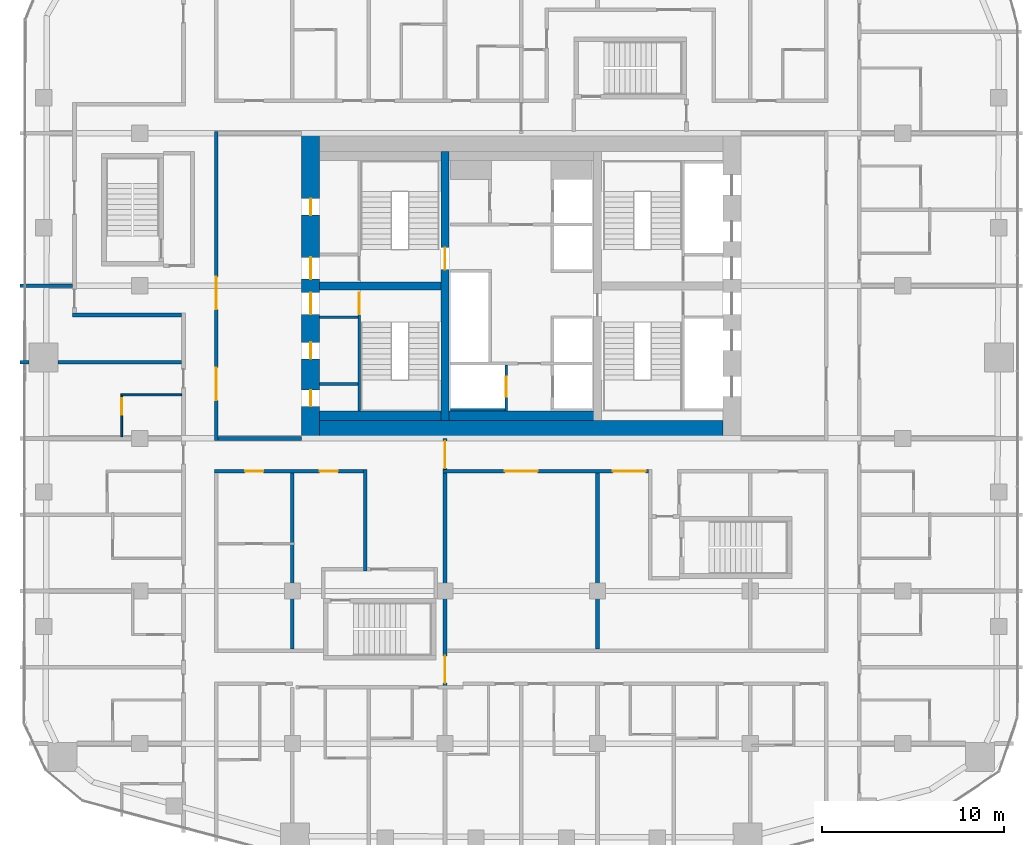
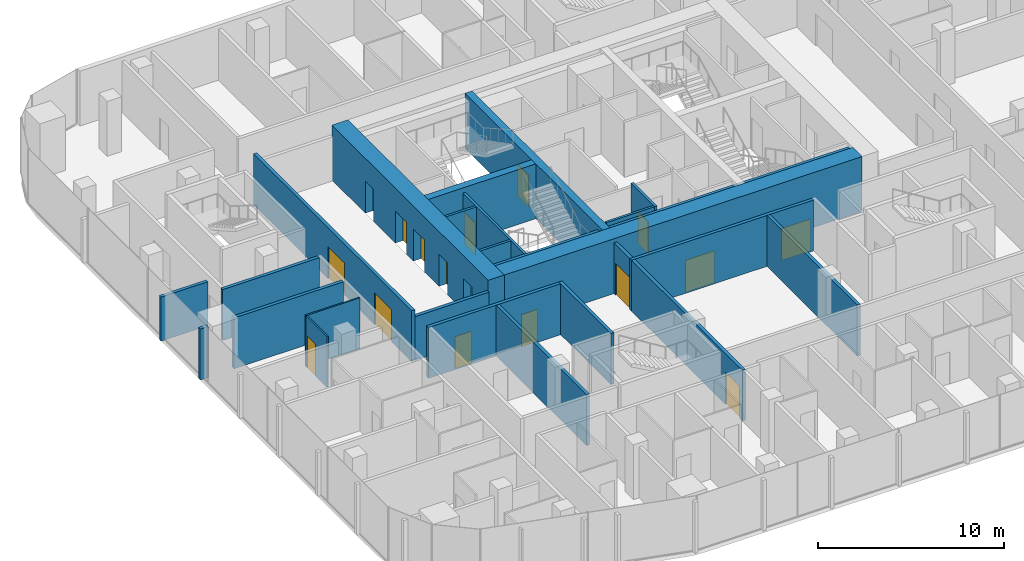
# One storey, part 15 of 23: 24 walls, 17 doors, 17 openings.
"""IFC4 building model written with IfcOpenShell, lengths in metres."""

from ifc_helpers import new_model, si_unit, direction, frame, frame_2d, origin, place, context, subcontext, project, spatial, rectangle, extrude, material, layer, layer_set, type_object, element, fill, save


model = new_model("IFC4")

# Units and contexts
model_context = context("Model", 3, precision=1e-05, world=origin(), true_north=direction((0.0, 1.0)))
body_context = subcontext(model_context, "Body", "Model", "MODEL_VIEW")
ifc_project = project(units=[si_unit("LENGTHUNIT", "METRE"), si_unit("AREAUNIT", "SQUARE_METRE"), si_unit("VOLUMEUNIT", "CUBIC_METRE"), si_unit("PLANEANGLEUNIT", "RADIAN"), si_unit("MASSUNIT", "GRAM", prefix="KILO")], contexts=[model_context])

# Site, building, storey
site_placement = place(None, origin())
site = spatial("IfcSite", under=ifc_project, at=site_placement, CompositionType="ELEMENT")
building_placement = place(site_placement, origin())
building = spatial("IfcBuilding", under=site, at=building_placement, Name="Marenta Gate Hotel Tower", CompositionType="ELEMENT")
storey_placement = place(building_placement, frame((0.0, 0.0, 112.10009765625)))
storey = spatial("IfcBuildingStorey", under=building, at=storey_placement, Name="L24", CompositionType="ELEMENT", Elevation=112.10009765625)

# Wall, openings, doors
ifc_material_1 = material(Name="Concrete blockwork", Category="masonry")
ifc_layer_1 = layer(ifc_material_1, 0.199951171875)
ifc_layer_set_1 = layer_set([ifc_layer_1], Name="Concrete blockwork")
wall_type_1 = type_object("IfcWallType", Name="Compartment wall 200 REI 180", PredefinedType="PARTITIONING", material=ifc_layer_set_1)
wall_1_placement = place(storey_placement, frame((-4.199951171875, -13.800048828125, 0.0), z_axis=(0.0, 0.0, 1.0), x_axis=(0.0, 1.0, 0.0)))
wall_1 = element("IfcWall", 1, at=wall_1_placement, inside=storey, type_object=wall_type_1, Name="L24-PTN-W080", PredefinedType="PARTITIONING", context=body_context, shape_type="SweptSolid", body=[
    extrude(rectangle(XDim=13.800048828125, YDim=0.199951171875, at=frame_2d((6.89990234375, 0.0))), origin(), (0.0, 0.0, 1.0), 3.33984375),
])
opening_1_placement = place(wall_1_placement, frame((12.14990234375, 0.0, 0.0)))
opening_1 = element("IfcOpeningElement", 2, at=opening_1_placement, cuts=wall_1, Name="Opening G08-FD2", PredefinedType="OPENING", context=body_context, shape_type="SweptSolid", body=[
    extrude(rectangle(XDim=1.5, YDim=2.10009765625, at=frame_2d((0.75, 1.050048828125))), frame((0.0, 0.10009765625, 0.0), z_axis=(0.0, -1.0, 0.0), x_axis=(1.0, 0.0, 0.0)), (0.0, 0.0, 1.0), 0.199951171875),
])
opening_2_placement = place(wall_1_placement, frame((0.324951171875, 0.0, 0.0)))
opening_2 = element("IfcOpeningElement", 3, at=opening_2_placement, cuts=wall_1, Name="Opening G08-FD3", PredefinedType="OPENING", context=body_context, shape_type="SweptSolid", body=[
    extrude(rectangle(XDim=1.5, YDim=2.10009765625, at=frame_2d((0.75, 1.050048828125))), frame((0.0, 0.10009765625, 0.0), z_axis=(0.0, -1.0, 0.0), x_axis=(1.0, 0.0, 0.0)), (0.0, 0.0, 1.0), 0.199951171875),
])
ifc_material_2 = material(Name="Hollow steel door set", Category="steel")
door_type_1 = type_object("IfcDoorType", Name="Compartment fire door 1500x2100 EI 60", OperationType="DOUBLE_DOOR_DOUBLE_SWING", PredefinedType="DOOR", material=ifc_material_2)
door_1_placement = place(opening_1_placement, origin())
door_1 = element("IfcDoor", 4, at=door_1_placement, inside=storey, type_object=door_type_1, Name="L24-PD-FD02", OperationType="DOUBLE_DOOR_DOUBLE_SWING", OverallHeight=2.10009765625, OverallWidth=1.5, PredefinedType="DOOR", context=body_context, shape_type="SweptSolid", body=[
    extrude(rectangle(XDim=1.5, YDim=2.10009765625, at=frame_2d((0.75, 1.050048828125))), frame((0.0, 0.02490234375, 0.0), z_axis=(0.0, -1.0, 0.0), x_axis=(1.0, 0.0, 0.0)), (0.0, 0.0, 1.0), 0.050048828125),
])
fill(opening_1, door_1)
door_2_placement = place(opening_2_placement, origin())
door_2 = element("IfcDoor", 5, at=door_2_placement, inside=storey, type_object=door_type_1, Name="L24-PD-FD03", OperationType="DOUBLE_DOOR_DOUBLE_SWING", OverallHeight=2.10009765625, OverallWidth=1.5, PredefinedType="DOOR", context=body_context, shape_type="SweptSolid", body=[
    extrude(rectangle(XDim=1.5, YDim=2.10009765625, at=frame_2d((0.75, 1.050048828125))), frame((0.0, 0.02490234375, 0.0), z_axis=(0.0, -1.0, 0.0), x_axis=(1.0, 0.0, 0.0)), (0.0, 0.0, 1.0), 0.050048828125),
])
fill(opening_2, door_2)

ifc_material_3 = material(Name="Concrete blockwork", Category="masonry")
ifc_layer_2 = layer(ifc_material_3, 0.199951171875)
ifc_layer_set_2 = layer_set([ifc_layer_2], Name="Concrete blockwork")
wall_type_2 = type_object("IfcWallType", Name="Core boundary wall 200 REI 180", PredefinedType="PARTITIONING", material=ifc_layer_set_2)
wall_2_placement = place(storey_placement, frame((-16.800048828125, -0.10009765625, 0.0), z_axis=(0.0, 0.0, 1.0), x_axis=(0.0, 1.0, 0.0)))
wall_2 = element("IfcWall", 6, at=wall_2_placement, inside=storey, type_object=wall_type_2, Name="L24-CP-BW-W", PredefinedType="PARTITIONING", context=body_context, shape_type="SweptSolid", body=[
    extrude(rectangle(XDim=17.0, YDim=0.199951171875, at=frame_2d((8.5, 0.0))), origin(), (0.0, 0.0, 1.0), 3.33984375),
])
opening_3_placement = place(wall_2_placement, frame((2.199951171875, 0.0, 0.0)))
opening_3 = element("IfcOpeningElement", 7, at=opening_3_placement, cuts=wall_2, Name="Opening ED-Wa-B", PredefinedType="OPENING", context=body_context, shape_type="SweptSolid", body=[
    extrude(rectangle(XDim=1.800048828125, YDim=2.10009765625, at=frame_2d((0.89990234375, 1.050048828125))), frame((0.0, 0.10009765625, 0.0), z_axis=(0.0, -1.0, 0.0), x_axis=(1.0, 0.0, 0.0)), (0.0, 0.0, 1.0), 0.199951171875),
])
opening_4_placement = place(wall_2_placement, frame((7.199951171875, 0.0, 0.0)))
opening_4 = element("IfcOpeningElement", 8, at=opening_4_placement, cuts=wall_2, Name="Opening ED-Wb-B", PredefinedType="OPENING", context=body_context, shape_type="SweptSolid", body=[
    extrude(rectangle(XDim=1.800048828125, YDim=2.10009765625, at=frame_2d((0.89990234375, 1.050048828125))), frame((0.0, 0.10009765625, 0.0), z_axis=(0.0, -1.0, 0.0), x_axis=(1.0, 0.0, 0.0)), (0.0, 0.0, 1.0), 0.199951171875),
])
ifc_material_4 = material(Name="Steel", Category="steel")
door_type_2 = type_object("IfcDoorType", Name="Core lobby entrance door 1800x2100 EI 60", OperationType="DOUBLE_DOOR_SINGLE_SWING", PredefinedType="DOOR", material=ifc_material_4)
door_3_placement = place(opening_3_placement, origin())
door_3 = element("IfcDoor", 9, at=door_3_placement, inside=storey, type_object=door_type_2, Name="ED-Wa-B", OperationType="DOUBLE_DOOR_SINGLE_SWING", OverallHeight=2.10009765625, OverallWidth=1.800048828125, PredefinedType="DOOR", context=body_context, shape_type="SweptSolid", body=[
    extrude(rectangle(XDim=1.800048828125, YDim=2.10009765625, at=frame_2d((0.89990234375, 1.050048828125))), frame((0.0, 0.02490234375, 0.0), z_axis=(0.0, -1.0, 0.0), x_axis=(1.0, 0.0, 0.0)), (0.0, 0.0, 1.0), 0.050048828125),
])
fill(opening_3, door_3)
door_4_placement = place(opening_4_placement, origin())
door_4 = element("IfcDoor", 10, at=door_4_placement, inside=storey, type_object=door_type_2, Name="ED-Wb-B", OperationType="DOUBLE_DOOR_SINGLE_SWING", OverallHeight=2.10009765625, OverallWidth=1.800048828125, PredefinedType="DOOR", context=body_context, shape_type="SweptSolid", body=[
    extrude(rectangle(XDim=1.800048828125, YDim=2.10009765625, at=frame_2d((0.89990234375, 1.050048828125))), frame((0.0, 0.02490234375, 0.0), z_axis=(0.0, -1.0, 0.0), x_axis=(1.0, 0.0, 0.0)), (0.0, 0.0, 1.0), 0.050048828125),
])
fill(opening_4, door_4)

# Walls
wall_3_placement = place(storey_placement, frame((-16.699951171875, 0.0, 0.0), z_axis=(0.0, 0.0, 1.0), x_axis=(1.0, 0.0, 0.0)))
element("IfcWall", 11, at=wall_3_placement, inside=storey, type_object=wall_type_2, Name="L24-CP-EW-WS", PredefinedType="PARTITIONING", context=body_context, shape_type="SweptSolid", body=[
    extrude(rectangle(XDim=4.599853515625, YDim=0.199951171875, at=frame_2d((2.2998046875, 0.0))), origin(), (0.0, 0.0, 1.0), 2.889892578125),
])
ifc_material_5 = material(Name="Concrete C40", Category="concrete")
ifc_layer_3 = layer(ifc_material_5, 0.5)
ifc_layer_set_3 = layer_set([ifc_layer_3], Name="Concrete C40")
wall_type_3 = type_object("IfcWallType", Name="Core lining wall 500 REI 180", PredefinedType="PARTITIONING", material=ifc_layer_set_3)
wall_4_placement = place(storey_placement, frame((-11.10009765625, 1.25, 0.0), z_axis=(0.0, 0.0, 1.0), x_axis=(1.0, 0.0, 0.0)))
element("IfcWall", 12, at=wall_4_placement, inside=storey, type_object=wall_type_3, Name="L24-CP-LN-S", PredefinedType="PARTITIONING", context=body_context, shape_type="SweptSolid", body=[
    extrude(rectangle(XDim=22.2001953125, YDim=0.5, at=frame_2d((11.10009765625, 0.0))), origin(), (0.0, 0.0, 1.0), 3.33984375),
])
ifc_material_6 = material(Name="Concrete blockwork", Category="masonry")
ifc_layer_4 = layer(ifc_material_6, 0.14990234375)
ifc_layer_set_4 = layer_set([ifc_layer_4], Name="Concrete blockwork")
wall_type_4 = type_object("IfcWallType", Name="Core room partition 150 REI 180", PredefinedType="PARTITIONING", material=ifc_layer_set_4)
for number, where, z_axis, x_axis, name in (
    (13, (-11.10009765625, 6.675048828125, 0.0), (0.0, 0.0, 1.0), (1.0, 0.0, 0.0), "L24-CP-SW-WS-2"),
    (14, (-11.10009765625, 3.0, 0.0), (0.0, 0.0, 1.0), (1.0, 0.0, 0.0), "L24-CP-RW-WS-1"),
):
    element("IfcWall", number, at=place(storey_placement, frame(where, z_axis=z_axis, x_axis=x_axis)), inside=storey, type_object=wall_type_4, Name=name, PredefinedType="PARTITIONING", context=body_context, shape_type="SweptSolid", body=[
        extrude(rectangle(XDim=2.10009765625, YDim=0.14990234375, at=frame_2d((1.050048828125, 0.0))), origin(), (0.0, 0.0, 1.0), 3.33984375),
    ])

# Wall, opening, door
ifc_material_7 = material(Name="Concrete C40", Category="concrete")
ifc_layer_5 = layer(ifc_material_7, 0.14990234375)
ifc_layer_set_5 = layer_set([ifc_layer_5], Name="Concrete C40")
wall_type_5 = type_object("IfcWallType", Name="Core shaft wall 150 REI 180", PredefinedType="SHEAR", material=ifc_layer_set_5)
wall_5_placement = place(storey_placement, frame((-0.824951171875, 1.5, 0.0), z_axis=(0.0, 0.0, 1.0), x_axis=(0.0, 1.0, 0.0)))
wall_5 = element("IfcWall", 15, at=wall_5_placement, inside=storey, type_object=wall_type_5, Name="L24-SHF-CW-W-ff", PredefinedType="SHEAR", context=body_context, shape_type="SweptSolid", body=[
    extrude(rectangle(XDim=2.550048828125, YDim=0.14990234375, at=frame_2d((1.27490234375, 0.0))), origin(), (0.0, 0.0, 1.0), 3.599853515625),
])
opening_5_placement = place(wall_5_placement, frame((0.800048828125, 0.0, 0.0)))
opening_5 = element("IfcOpeningElement", 16, at=opening_5_placement, cuts=wall_5, Name="Opening LD-FF1", PredefinedType="OPENING", context=body_context, shape_type="SweptSolid", body=[
    extrude(rectangle(XDim=1.10009765625, YDim=2.10009765625, at=frame_2d((0.550048828125, 1.050048828125))), frame((0.0, 0.074951171875, 0.0), z_axis=(0.0, -1.0, 0.0), x_axis=(1.0, 0.0, 0.0)), (0.0, 0.0, 1.0), 0.14990234375),
])
ifc_material_8 = material(Name="Steel", Category="steel")
door_type_3 = type_object("IfcDoorType", Name="Core lift landing door 1100x2100 E 60", OperationType="SLIDING_TO_LEFT", PredefinedType="DOOR", material=ifc_material_8)
door_5_placement = place(opening_5_placement, origin())
door_5 = element("IfcDoor", 17, at=door_5_placement, inside=storey, type_object=door_type_3, Name="LD-FF1", OperationType="SLIDING_TO_LEFT", OverallHeight=2.10009765625, OverallWidth=1.10009765625, PredefinedType="DOOR", context=body_context, shape_type="SweptSolid", body=[
    extrude(rectangle(XDim=1.10009765625, YDim=2.10009765625, at=frame_2d((0.550048828125, 1.050048828125))), frame((0.0, 0.02490234375, 0.0), z_axis=(0.0, -1.0, 0.0), x_axis=(1.0, 0.0, 0.0)), (0.0, 0.0, 1.0), 0.050048828125),
])
fill(opening_5, door_5)

# Wall
wall_6_placement = place(storey_placement, frame((-3.89990234375, 1.574951171875, 0.0), z_axis=(0.0, 0.0, 1.0), x_axis=(1.0, 0.0, 0.0)))
element("IfcWall", 18, at=wall_6_placement, inside=storey, type_object=wall_type_5, Name="L24-SHF-CW-W-ffs", PredefinedType="SHEAR", context=body_context, shape_type="SweptSolid", body=[
    extrude(rectangle(XDim=3.0, YDim=0.14990234375, at=frame_2d((1.5, 0.0))), origin(), (0.0, 0.0, 1.0), 3.599853515625),
])

# Wall, opening, door
ifc_material_9 = material(Name="Concrete C40", Category="concrete")
ifc_layer_6 = layer(ifc_material_9, 0.14990234375)
ifc_layer_set_6 = layer_set([ifc_layer_6], Name="Concrete C40")
wall_type_6 = type_object("IfcWallType", Name="Core stair enclosure wall 150 REI 180", PredefinedType="SHEAR", material=ifc_layer_set_6)
wall_7_placement = place(storey_placement, frame((-8.925048828125, 1.5, 0.0), z_axis=(0.0, 0.0, 1.0), x_axis=(0.0, 1.0, 0.0)))
wall_7 = element("IfcWall", 19, at=wall_7_placement, inside=storey, type_object=wall_type_6, Name="L24-SHF-SW-WS-3", PredefinedType="SHEAR", context=body_context, shape_type="SweptSolid", body=[
    extrude(rectangle(XDim=6.60009765625, YDim=0.14990234375, at=frame_2d((3.300048828125, 0.0))), origin(), (0.0, 0.0, 1.0), 3.33984375),
])
opening_6_placement = place(wall_7_placement, frame((5.324951171875, 0.0, 0.0)))
opening_6 = element("IfcOpeningElement", 20, at=opening_6_placement, cuts=wall_7, Name="Opening SD-WS", PredefinedType="OPENING", context=body_context, shape_type="SweptSolid", body=[
    extrude(rectangle(XDim=1.199951171875, YDim=2.10009765625, at=frame_2d((0.60009765625, 1.050048828125))), frame((0.0, 0.074951171875, 0.0), z_axis=(0.0, -1.0, 0.0), x_axis=(1.0, 0.0, 0.0)), (0.0, 0.0, 1.0), 0.14990234375),
])
ifc_material_10 = material(Name="Steel", Category="steel")
door_type_4 = type_object("IfcDoorType", Name="Core stair door 1200x2100 FD60", OperationType="SINGLE_SWING_LEFT", PredefinedType="DOOR", material=ifc_material_10)
door_6_placement = place(opening_6_placement, origin())
door_6 = element("IfcDoor", 21, at=door_6_placement, inside=storey, type_object=door_type_4, Name="SD-WS", OperationType="SINGLE_SWING_LEFT", OverallHeight=2.10009765625, OverallWidth=1.199951171875, PredefinedType="DOOR", context=body_context, shape_type="SweptSolid", body=[
    extrude(rectangle(XDim=1.199951171875, YDim=2.10009765625, at=frame_2d((0.60009765625, 1.050048828125))), frame((0.0, 0.02490234375, 0.0), z_axis=(0.0, -1.0, 0.0), x_axis=(1.0, 0.0, 0.0)), (0.0, 0.0, 1.0), 0.050048828125),
])
fill(opening_6, door_6)

# Wall, openings, doors
ifc_material_11 = material(Name="Concrete C70", Category="concrete")
ifc_layer_7 = layer(ifc_material_11, 1.0)
ifc_layer_set_7 = layer_set([ifc_layer_7], Name="Concrete C70")
wall_type_7 = type_object("IfcWallType", Name="Core wall 1000 C70", PredefinedType="SHEAR", material=ifc_layer_set_7)
wall_8_placement = place(storey_placement, frame((-11.60009765625, 0.0, 0.0), z_axis=(0.0, 0.0, 1.0), x_axis=(0.0, 1.0, 0.0)))
wall_8 = element("IfcWall", 22, at=wall_8_placement, inside=storey, type_object=wall_type_7, Name="L24-CORE-W", PredefinedType="SHEAR", context=body_context, shape_type="SweptSolid", body=[
    extrude(rectangle(XDim=16.800048828125, YDim=1.0, at=frame_2d((8.39990234375, 0.0))), origin(), (0.0, 0.0, 1.0), 3.599853515625),
])
opening_7_placement = place(wall_8_placement, frame((1.762451171875, 0.0, 0.0)))
opening_7 = element("IfcOpeningElement", 23, at=opening_7_placement, cuts=wall_8, Name="Opening RD-WS-1", PredefinedType="OPENING", context=body_context, shape_type="SweptSolid", body=[
    extrude(rectangle(XDim=0.89990234375, YDim=2.10009765625, at=frame_2d((0.449951171875, 1.050048828125))), frame((0.0, 0.5, 0.0), z_axis=(0.0, -1.0, 0.0), x_axis=(1.0, 0.0, 0.0)), (0.0, 0.0, 1.0), 1.0),
])
opening_8_placement = place(wall_8_placement, frame((4.387451171875, 0.0, 0.0)))
opening_8 = element("IfcOpeningElement", 24, at=opening_8_placement, cuts=wall_8, Name="Opening RD-WS-2", PredefinedType="OPENING", context=body_context, shape_type="SweptSolid", body=[
    extrude(rectangle(XDim=0.89990234375, YDim=2.10009765625, at=frame_2d((0.449951171875, 1.050048828125))), frame((0.0, 0.5, 0.0), z_axis=(0.0, -1.0, 0.0), x_axis=(1.0, 0.0, 0.0)), (0.0, 0.0, 1.0), 1.0),
])
opening_9_placement = place(wall_8_placement, frame((6.824951171875, 0.0, 0.0)))
opening_9 = element("IfcOpeningElement", 25, at=opening_9_placement, cuts=wall_8, Name="Opening PD-WS", PredefinedType="OPENING", context=body_context, shape_type="SweptSolid", body=[
    extrude(rectangle(XDim=1.199951171875, YDim=2.10009765625, at=frame_2d((0.60009765625, 1.050048828125))), frame((0.0, 0.5, 0.0), z_axis=(0.0, -1.0, 0.0), x_axis=(1.0, 0.0, 0.0)), (0.0, 0.0, 1.0), 1.0),
])
opening_10_placement = place(wall_8_placement, frame((12.300048828125, 0.0, 0.0)))
opening_10 = element("IfcOpeningElement", 26, at=opening_10_placement, cuts=wall_8, Name="Opening RD-WN-1", PredefinedType="OPENING", context=body_context, shape_type="SweptSolid", body=[
    extrude(rectangle(XDim=0.89990234375, YDim=2.10009765625, at=frame_2d((0.449951171875, 1.050048828125))), frame((0.0, 0.5, 0.0), z_axis=(0.0, -1.0, 0.0), x_axis=(1.0, 0.0, 0.0)), (0.0, 0.0, 1.0), 1.0),
])
opening_11_placement = place(wall_8_placement, frame((8.77490234375, 0.0, 0.0)))
opening_11 = element("IfcOpeningElement", 27, at=opening_11_placement, cuts=wall_8, Name="Opening PD-WN", PredefinedType="OPENING", context=body_context, shape_type="SweptSolid", body=[
    extrude(rectangle(XDim=1.199951171875, YDim=2.10009765625, at=frame_2d((0.60009765625, 1.050048828125))), frame((0.0, 0.5, 0.0), z_axis=(0.0, -1.0, 0.0), x_axis=(1.0, 0.0, 0.0)), (0.0, 0.0, 1.0), 1.0),
])
ifc_material_12 = material(Name="Steel", Category="steel")
door_type_5 = type_object("IfcDoorType", Name="Core lobby door 1200x2100 FD60", OperationType="SINGLE_SWING_LEFT", PredefinedType="DOOR", material=ifc_material_12)
door_7_placement = place(opening_9_placement, origin())
door_7 = element("IfcDoor", 28, at=door_7_placement, inside=storey, type_object=door_type_5, Name="PD-WS", OperationType="SINGLE_SWING_LEFT", OverallHeight=2.10009765625, OverallWidth=1.199951171875, PredefinedType="DOOR", context=body_context, shape_type="SweptSolid", body=[
    extrude(rectangle(XDim=1.199951171875, YDim=2.10009765625, at=frame_2d((0.60009765625, 1.050048828125))), frame((0.0, 0.02490234375, 0.0), z_axis=(0.0, -1.0, 0.0), x_axis=(1.0, 0.0, 0.0)), (0.0, 0.0, 1.0), 0.050048828125),
])
fill(opening_9, door_7)
door_8_placement = place(opening_11_placement, origin())
door_8 = element("IfcDoor", 29, at=door_8_placement, inside=storey, type_object=door_type_5, Name="PD-WN", OperationType="SINGLE_SWING_LEFT", OverallHeight=2.10009765625, OverallWidth=1.199951171875, PredefinedType="DOOR", context=body_context, shape_type="SweptSolid", body=[
    extrude(rectangle(XDim=1.199951171875, YDim=2.10009765625, at=frame_2d((0.60009765625, 1.050048828125))), frame((0.0, 0.02490234375, 0.0), z_axis=(0.0, -1.0, 0.0), x_axis=(1.0, 0.0, 0.0)), (0.0, 0.0, 1.0), 0.050048828125),
])
fill(opening_11, door_8)
ifc_material_13 = material(Name="Steel", Category="steel")
door_type_6 = type_object("IfcDoorType", Name="Core service room door 900x2100 FD30S", OperationType="SINGLE_SWING_LEFT", PredefinedType="DOOR", material=ifc_material_13)
door_9_placement = place(opening_7_placement, origin())
door_9 = element("IfcDoor", 30, at=door_9_placement, inside=storey, type_object=door_type_6, Name="RD-WS-1", OperationType="SINGLE_SWING_LEFT", OverallHeight=2.10009765625, OverallWidth=0.89990234375, PredefinedType="DOOR", context=body_context, shape_type="SweptSolid", body=[
    extrude(rectangle(XDim=0.89990234375, YDim=2.10009765625, at=frame_2d((0.449951171875, 1.050048828125))), frame((0.0, 0.02490234375, 0.0), z_axis=(0.0, -1.0, 0.0), x_axis=(1.0, 0.0, 0.0)), (0.0, 0.0, 1.0), 0.050048828125),
])
fill(opening_7, door_9)
door_10_placement = place(opening_8_placement, origin())
door_10 = element("IfcDoor", 31, at=door_10_placement, inside=storey, type_object=door_type_6, Name="RD-WS-2", OperationType="SINGLE_SWING_LEFT", OverallHeight=2.10009765625, OverallWidth=0.89990234375, PredefinedType="DOOR", context=body_context, shape_type="SweptSolid", body=[
    extrude(rectangle(XDim=0.89990234375, YDim=2.10009765625, at=frame_2d((0.449951171875, 1.050048828125))), frame((0.0, 0.02490234375, 0.0), z_axis=(0.0, -1.0, 0.0), x_axis=(1.0, 0.0, 0.0)), (0.0, 0.0, 1.0), 0.050048828125),
])
fill(opening_8, door_10)
door_11_placement = place(opening_10_placement, origin())
door_11 = element("IfcDoor", 32, at=door_11_placement, inside=storey, type_object=door_type_6, Name="RD-WN-1", OperationType="SINGLE_SWING_LEFT", OverallHeight=2.10009765625, OverallWidth=0.89990234375, PredefinedType="DOOR", context=body_context, shape_type="SweptSolid", body=[
    extrude(rectangle(XDim=0.89990234375, YDim=2.10009765625, at=frame_2d((0.449951171875, 1.050048828125))), frame((0.0, 0.02490234375, 0.0), z_axis=(0.0, -1.0, 0.0), x_axis=(1.0, 0.0, 0.0)), (0.0, 0.0, 1.0), 0.050048828125),
])
fill(opening_10, door_11)

# Wall
wall_9_placement = place(storey_placement, frame((-11.10009765625, 0.5, 0.0), z_axis=(0.0, 0.0, 1.0), x_axis=(1.0, 0.0, 0.0)))
element("IfcWall", 33, at=wall_9_placement, inside=storey, type_object=wall_type_7, Name="L24-CORE-S", PredefinedType="SHEAR", context=body_context, shape_type="SweptSolid", body=[
    extrude(rectangle(XDim=22.2001953125, YDim=1.0, at=frame_2d((11.10009765625, 0.0))), origin(), (0.0, 0.0, 1.0), 3.599853515625),
])

# Wall, opening, door
ifc_material_14 = material(Name="Concrete C70", Category="concrete")
ifc_layer_8 = layer(ifc_material_14, 0.449951171875)
ifc_layer_set_8 = layer_set([ifc_layer_8], Name="Concrete C70")
wall_type_8 = type_object("IfcWallType", Name="Core web 450 C70", PredefinedType="SHEAR", material=ifc_layer_set_8)
wall_10_placement = place(storey_placement, frame((-4.199951171875, 1.0, 0.0), z_axis=(0.0, 0.0, 1.0), x_axis=(0.0, 1.0, 0.0)))
wall_10 = element("IfcWall", 34, at=wall_10_placement, inside=storey, type_object=wall_type_8, Name="L24-CORE-W1", PredefinedType="SHEAR", context=body_context, shape_type="SweptSolid", body=[
    extrude(rectangle(XDim=14.800048828125, YDim=0.449951171875, at=frame_2d((7.39990234375, 0.0))), origin(), (0.0, 0.0, 1.0), 3.599853515625),
])
opening_12_placement = place(wall_10_placement, frame((8.300048828125, 0.0, 0.0)))
opening_12 = element("IfcOpeningElement", 35, at=opening_12_placement, cuts=wall_10, Name="Opening WD-W", PredefinedType="OPENING", context=body_context, shape_type="SweptSolid", body=[
    extrude(rectangle(XDim=1.199951171875, YDim=2.10009765625, at=frame_2d((0.60009765625, 1.050048828125))), frame((0.0, 0.22509765625, 0.0), z_axis=(0.0, -1.0, 0.0), x_axis=(1.0, 0.0, 0.0)), (0.0, 0.0, 1.0), 0.449951171875),
])
door_12_placement = place(opening_12_placement, origin())
door_12 = element("IfcDoor", 36, at=door_12_placement, inside=storey, type_object=door_type_4, Name="WD-W", OperationType="SINGLE_SWING_LEFT", OverallHeight=2.10009765625, OverallWidth=1.199951171875, PredefinedType="DOOR", context=body_context, shape_type="SweptSolid", body=[
    extrude(rectangle(XDim=1.199951171875, YDim=2.10009765625, at=frame_2d((0.60009765625, 1.050048828125))), frame((0.0, 0.02490234375, 0.0), z_axis=(0.0, -1.0, 0.0), x_axis=(1.0, 0.0, 0.0)), (0.0, 0.0, 1.0), 0.050048828125),
])
fill(opening_12, door_12)

# Wall
wall_11_placement = place(storey_placement, frame((-11.10009765625, 8.39990234375, 0.0), z_axis=(0.0, 0.0, 1.0), x_axis=(1.0, 0.0, 0.0)))
element("IfcWall", 37, at=wall_11_placement, inside=storey, type_object=wall_type_8, Name="L24-CORE-W3", PredefinedType="SHEAR", context=body_context, shape_type="SweptSolid", body=[
    extrude(rectangle(XDim=6.675048828125, YDim=0.449951171875, at=frame_2d((3.33740234375, 0.0))), origin(), (0.0, 0.0, 1.0), 3.599853515625),
])

# Wall, openings, doors
ifc_material_15 = material(Name="Concrete blockwork", Category="masonry")
ifc_layer_9 = layer(ifc_material_15, 0.199951171875)
ifc_layer_set_9 = layer_set([ifc_layer_9], Name="Concrete blockwork")
wall_type_9 = type_object("IfcWallType", Name="Room corridor wall 200 EI 120", PredefinedType="PARTITIONING", material=ifc_layer_set_9)
wall_12_placement = place(storey_placement, frame((-16.89990234375, -1.800048828125, 0.0), z_axis=(0.0, 0.0, 1.0), x_axis=(1.0, 0.0, 0.0)))
wall_12 = element("IfcWall", 38, at=wall_12_placement, inside=storey, type_object=wall_type_9, Name="L24-PTN-W067", PredefinedType="PARTITIONING", context=body_context, shape_type="SweptSolid", body=[
    extrude(rectangle(XDim=8.199951171875, YDim=0.199951171875, at=frame_2d((4.10009765625, 0.0))), origin(), (0.0, 0.0, 1.0), 3.33984375),
])
opening_13_placement = place(wall_12_placement, frame((1.699951171875, 0.0, 0.0)))
opening_13 = element("IfcOpeningElement", 39, at=opening_13_placement, cuts=wall_12, Name="Opening G08-01", PredefinedType="OPENING", context=body_context, shape_type="SweptSolid", body=[
    extrude(rectangle(XDim=1.0, YDim=2.10009765625, at=frame_2d((0.5, 1.050048828125))), frame((0.0, 0.10009765625, 0.0), z_axis=(0.0, -1.0, 0.0), x_axis=(1.0, 0.0, 0.0)), (0.0, 0.0, 1.0), 0.199951171875),
])
opening_14_placement = place(wall_12_placement, frame((5.800048828125, 0.0, 0.0)))
opening_14 = element("IfcOpeningElement", 40, at=opening_14_placement, cuts=wall_12, Name="Opening G08-03", PredefinedType="OPENING", context=body_context, shape_type="SweptSolid", body=[
    extrude(rectangle(XDim=1.0, YDim=2.10009765625, at=frame_2d((0.5, 1.050048828125))), frame((0.0, 0.10009765625, 0.0), z_axis=(0.0, -1.0, 0.0), x_axis=(1.0, 0.0, 0.0)), (0.0, 0.0, 1.0), 0.199951171875),
])
ifc_material_16 = material(Name="Hollow steel door set", Category="steel")
door_type_7 = type_object("IfcDoorType", Name="Room service door 1000x2100 EI 60", OperationType="NOTDEFINED", PredefinedType="DOOR", material=ifc_material_16)
door_13_placement = place(opening_13_placement, origin())
door_13 = element("IfcDoor", 41, at=door_13_placement, inside=storey, type_object=door_type_7, Name="L24-PD-D001", OperationType="SINGLE_SWING_LEFT", OverallHeight=2.10009765625, OverallWidth=1.0, PredefinedType="DOOR", context=body_context, shape_type="SweptSolid", body=[
    extrude(rectangle(XDim=1.0, YDim=2.10009765625, at=frame_2d((0.5, 1.050048828125))), frame((0.0, 0.02490234375, 0.0), z_axis=(0.0, -1.0, 0.0), x_axis=(1.0, 0.0, 0.0)), (0.0, 0.0, 1.0), 0.050048828125),
])
fill(opening_13, door_13)
door_14_placement = place(opening_14_placement, origin())
door_14 = element("IfcDoor", 42, at=door_14_placement, inside=storey, type_object=door_type_7, Name="L24-PD-D003", OperationType="SINGLE_SWING_LEFT", OverallHeight=2.10009765625, OverallWidth=1.0, PredefinedType="DOOR", context=body_context, shape_type="SweptSolid", body=[
    extrude(rectangle(XDim=1.0, YDim=2.10009765625, at=frame_2d((0.5, 1.050048828125))), frame((0.0, 0.02490234375, 0.0), z_axis=(0.0, -1.0, 0.0), x_axis=(1.0, 0.0, 0.0)), (0.0, 0.0, 1.0), 0.050048828125),
])
fill(opening_14, door_14)

# Wall
wall_13_placement = place(storey_placement, frame((-8.60009765625, -7.300048828125, 0.0), z_axis=(0.0, 0.0, 1.0), x_axis=(0.0, 1.0, 0.0)))
element("IfcWall", 43, at=wall_13_placement, inside=storey, type_object=wall_type_9, Name="L24-PTN-W090", PredefinedType="PARTITIONING", context=body_context, shape_type="SweptSolid", body=[
    extrude(rectangle(XDim=5.60009765625, YDim=0.199951171875, at=frame_2d((2.800048828125, 0.0))), origin(), (0.0, 0.0, 1.0), 3.33984375),
])

# Wall, openings, doors
ifc_material_17 = material(Name="Gypsum board on steel stud", Category="steel")
ifc_layer_10 = layer(ifc_material_17, 0.199951171875)
ifc_layer_set_10 = layer_set([ifc_layer_10], Name="Gypsum board on steel stud")
wall_type_10 = type_object("IfcWallType", Name="Room corridor wall 200 EI 60", PredefinedType="PARTITIONING", material=ifc_layer_set_10)
wall_14_placement = place(storey_placement, frame((-4.300048828125, -1.800048828125, 0.0), z_axis=(0.0, 0.0, 1.0), x_axis=(1.0, 0.0, 0.0)))
wall_14 = element("IfcWall", 44, at=wall_14_placement, inside=storey, type_object=wall_type_10, Name="L24-PTN-W068", PredefinedType="PARTITIONING", context=body_context, shape_type="SweptSolid", body=[
    extrude(rectangle(XDim=11.300048828125, YDim=0.199951171875, at=frame_2d((5.64990234375, 0.0))), origin(), (0.0, 0.0, 1.0), 3.33984375),
])
opening_15_placement = place(wall_14_placement, frame((3.39990234375, 0.0, 0.0)))
opening_15 = element("IfcOpeningElement", 45, at=opening_15_placement, cuts=wall_14, Name="Opening G08-04", PredefinedType="OPENING", context=body_context, shape_type="SweptSolid", body=[
    extrude(rectangle(XDim=1.800048828125, YDim=2.10009765625, at=frame_2d((0.89990234375, 1.050048828125))), frame((0.0, 0.10009765625, 0.0), z_axis=(0.0, -1.0, 0.0), x_axis=(1.0, 0.0, 0.0)), (0.0, 0.0, 1.0), 0.199951171875),
])
opening_16_placement = place(wall_14_placement, frame((9.35009765625, 0.0, 0.0)))
opening_16 = element("IfcOpeningElement", 46, at=opening_16_placement, cuts=wall_14, Name="Opening G08-05", PredefinedType="OPENING", context=body_context, shape_type="SweptSolid", body=[
    extrude(rectangle(XDim=1.800048828125, YDim=2.10009765625, at=frame_2d((0.89990234375, 1.050048828125))), frame((0.0, 0.10009765625, 0.0), z_axis=(0.0, -1.0, 0.0), x_axis=(1.0, 0.0, 0.0)), (0.0, 0.0, 1.0), 0.199951171875),
])
ifc_material_18 = material(Name="Timber door leaf", Category="wood")
door_type_8 = type_object("IfcDoorType", Name="Room amenity door 1800x2100 EI 30", OperationType="DOUBLE_DOOR_SINGLE_SWING", PredefinedType="DOOR", material=ifc_material_18)
door_15_placement = place(opening_15_placement, origin())
door_15 = element("IfcDoor", 47, at=door_15_placement, inside=storey, type_object=door_type_8, Name="L24-PD-D004", OperationType="DOUBLE_DOOR_SINGLE_SWING", OverallHeight=2.10009765625, OverallWidth=1.800048828125, PredefinedType="DOOR", context=body_context, shape_type="SweptSolid", body=[
    extrude(rectangle(XDim=1.800048828125, YDim=2.10009765625, at=frame_2d((0.89990234375, 1.050048828125))), frame((0.0, 0.02490234375, 0.0), z_axis=(0.0, -1.0, 0.0), x_axis=(1.0, 0.0, 0.0)), (0.0, 0.0, 1.0), 0.050048828125),
])
fill(opening_15, door_15)
door_16_placement = place(opening_16_placement, origin())
door_16 = element("IfcDoor", 48, at=door_16_placement, inside=storey, type_object=door_type_8, Name="L24-PD-D005", OperationType="DOUBLE_DOOR_SINGLE_SWING", OverallHeight=2.10009765625, OverallWidth=1.800048828125, PredefinedType="DOOR", context=body_context, shape_type="SweptSolid", body=[
    extrude(rectangle(XDim=1.800048828125, YDim=2.10009765625, at=frame_2d((0.89990234375, 1.050048828125))), frame((0.0, 0.02490234375, 0.0), z_axis=(0.0, -1.0, 0.0), x_axis=(1.0, 0.0, 0.0)), (0.0, 0.0, 1.0), 0.050048828125),
])
fill(opening_16, door_16)

# Walls
wall_15_placement = place(storey_placement, frame((-24.699951171875, 6.800048828125, 0.0), z_axis=(0.0, 0.0, 1.0), x_axis=(1.0, 0.0, 0.0)))
element("IfcWall", 49, at=wall_15_placement, inside=storey, type_object=wall_type_10, Name="L24-PTN-W085", PredefinedType="PARTITIONING", context=body_context, shape_type="SweptSolid", body=[
    extrude(rectangle(XDim=6.0, YDim=0.199951171875, at=frame_2d((3.0, 0.0))), origin(), (0.0, 0.0, 1.0), 3.33984375),
])
ifc_material_19 = material(Name="Gypsum board on steel stud", Category="steel")
ifc_layer_11 = layer(ifc_material_19, 0.10009765625)
ifc_layer_set_11 = layer_set([ifc_layer_11], Name="Gypsum board on steel stud")
wall_type_11 = type_object("IfcWallType", Name="Room partition 100", PredefinedType="PARTITIONING", material=ifc_layer_set_11)
wall_16_placement = place(storey_placement, frame((-22.050048828125, 2.39990234375, 0.0), z_axis=(0.0, 0.0, 1.0), x_axis=(1.0, 0.0, 0.0)))
element("IfcWall", 50, at=wall_16_placement, inside=storey, type_object=wall_type_11, Name="L24-PTN-W077", PredefinedType="PARTITIONING", context=body_context, shape_type="SweptSolid", body=[
    extrude(rectangle(XDim=3.35009765625, YDim=0.10009765625, at=frame_2d((1.675048828125, 0.0))), origin(), (0.0, 0.0, 1.0), 3.33984375),
])

# Wall, opening, door
wall_17_placement = place(storey_placement, frame((-22.0, 0.10009765625, 0.0), z_axis=(0.0, 0.0, 1.0), x_axis=(0.0, 1.0, 0.0)))
wall_17 = element("IfcWall", 51, at=wall_17_placement, inside=storey, type_object=wall_type_11, Name="L24-PTN-W120", PredefinedType="PARTITIONING", context=body_context, shape_type="SweptSolid", body=[
    extrude(rectangle(XDim=2.25, YDim=0.10009765625, at=frame_2d((1.125, 0.0))), origin(), (0.0, 0.0, 1.0), 3.33984375),
])
opening_17_placement = place(wall_17_placement, frame((1.199951171875, 0.0, 0.0)))
opening_17 = element("IfcOpeningElement", 52, at=opening_17_placement, cuts=wall_17, Name="Opening G08-64", PredefinedType="OPENING", context=body_context, shape_type="SweptSolid", body=[
    extrude(rectangle(XDim=0.89990234375, YDim=2.10009765625, at=frame_2d((0.449951171875, 1.050048828125))), frame((0.0, 0.050048828125, 0.0), z_axis=(0.0, -1.0, 0.0), x_axis=(1.0, 0.0, 0.0)), (0.0, 0.0, 1.0), 0.10009765625),
])
ifc_material_20 = material(Name="Timber door leaf", Category="wood")
door_type_9 = type_object("IfcDoorType", Name="Guest bathroom door 900x2100", OperationType="NOTDEFINED", PredefinedType="DOOR", material=ifc_material_20)
door_17_placement = place(opening_17_placement, origin())
door_17 = element("IfcDoor", 53, at=door_17_placement, inside=storey, type_object=door_type_9, Name="L24-PD-D064", OperationType="SINGLE_SWING_LEFT", OverallHeight=2.10009765625, OverallWidth=0.89990234375, PredefinedType="DOOR", context=body_context, shape_type="SweptSolid", body=[
    extrude(rectangle(XDim=0.89990234375, YDim=2.10009765625, at=frame_2d((0.449951171875, 1.050048828125))), frame((0.0, 0.02490234375, 0.0), z_axis=(0.0, -1.0, 0.0), x_axis=(1.0, 0.0, 0.0)), (0.0, 0.0, 1.0), 0.050048828125),
])
fill(opening_17, door_17)

# Walls
ifc_material_21 = material(Name="Concrete blockwork", Category="masonry")
ifc_layer_12 = layer(ifc_material_21, 0.199951171875)
ifc_layer_set_12 = layer_set([ifc_layer_12], Name="Concrete blockwork")
wall_type_12 = type_object("IfcWallType", Name="Room party wall 200 EI 120", PredefinedType="PARTITIONING", material=ifc_layer_set_12)
wall_18_placement = place(storey_placement, frame((-12.60009765625, -11.60009765625, 0.0), z_axis=(0.0, 0.0, 1.0), x_axis=(0.0, 1.0, 0.0)))
element("IfcWall", 54, at=wall_18_placement, inside=storey, type_object=wall_type_12, Name="L24-PTN-W097", PredefinedType="PARTITIONING", context=body_context, shape_type="SweptSolid", body=[
    extrude(rectangle(XDim=9.7001953125, YDim=0.199951171875, at=frame_2d((4.85009765625, 0.0))), origin(), (0.0, 0.0, 1.0), 3.33984375),
])
ifc_material_22 = material(Name="Gypsum board on steel stud", Category="steel")
ifc_layer_13 = layer(ifc_material_22, 0.199951171875)
ifc_layer_set_13 = layer_set([ifc_layer_13], Name="Gypsum board on steel stud")
wall_type_13 = type_object("IfcWallType", Name="Room party wall 200 EI 60", PredefinedType="PARTITIONING", material=ifc_layer_set_13)
wall_19_placement = place(storey_placement, frame((4.199951171875, -11.60009765625, 0.0), z_axis=(0.0, 0.0, 1.0), x_axis=(0.0, 1.0, 0.0)))
element("IfcWall", 55, at=wall_19_placement, inside=storey, type_object=wall_type_13, Name="L24-PTN-W059", PredefinedType="PARTITIONING", context=body_context, shape_type="SweptSolid", body=[
    extrude(rectangle(XDim=9.7001953125, YDim=0.199951171875, at=frame_2d((4.85009765625, 0.0))), origin(), (0.0, 0.0, 1.0), 3.33984375),
])
wall_20_placement = place(storey_placement, frame((-27.60009765625, 4.199951171875, 0.0), z_axis=(0.0, 0.0, 1.0), x_axis=(1.0, 0.0, 0.0)))
element("IfcWall", 56, at=wall_20_placement, inside=storey, type_object=wall_type_13, Name="L24-PTN-W081", PredefinedType="PARTITIONING", context=body_context, shape_type="SweptSolid", body=[
    extrude(rectangle(XDim=0.5, YDim=0.199951171875, at=frame_2d((0.25, 0.0))), origin(), (0.0, 0.0, 1.0), 3.33984375),
])
wall_21_placement = place(storey_placement, frame((-25.5, 4.199951171875, 0.0), z_axis=(0.0, 0.0, 1.0), x_axis=(1.0, 0.0, 0.0)))
element("IfcWall", 57, at=wall_21_placement, inside=storey, type_object=wall_type_13, Name="L24-PTN-W133", PredefinedType="PARTITIONING", context=body_context, shape_type="SweptSolid", body=[
    extrude(rectangle(XDim=6.800048828125, YDim=0.199951171875, at=frame_2d((3.39990234375, 0.0))), origin(), (0.0, 0.0, 1.0), 3.33984375),
])
wall_22_placement = place(storey_placement, frame((-27.60009765625, 8.39990234375, 0.0), z_axis=(0.0, 0.0, 1.0), x_axis=(1.0, 0.0, 0.0)))
element("IfcWall", 58, at=wall_22_placement, inside=storey, type_object=wall_type_13, Name="L24-PTN-W088", PredefinedType="PARTITIONING", context=body_context, shape_type="SweptSolid", body=[
    extrude(rectangle(XDim=2.900146484375, YDim=0.199951171875, at=frame_2d((1.4501953125, 0.0))), origin(), (0.0, 0.0, 1.0), 2.889892578125),
])

save(model, "model.ifc")
